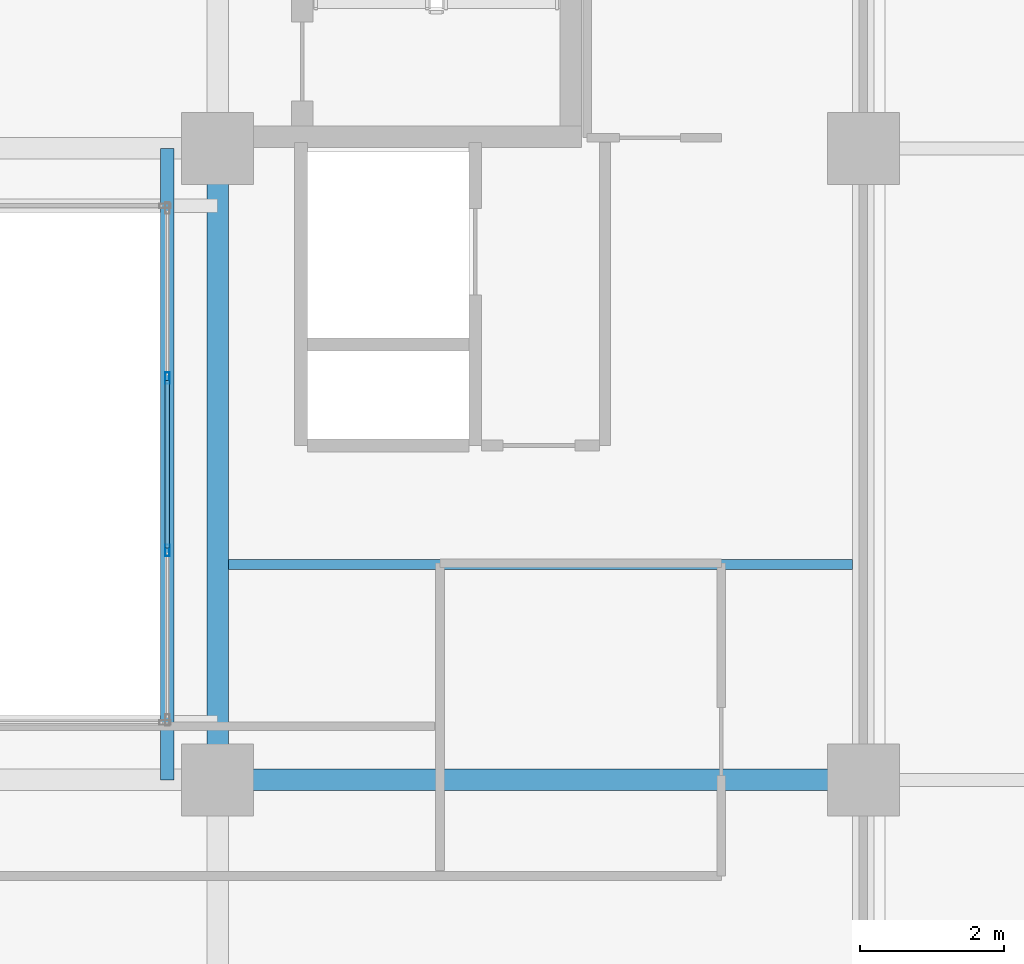
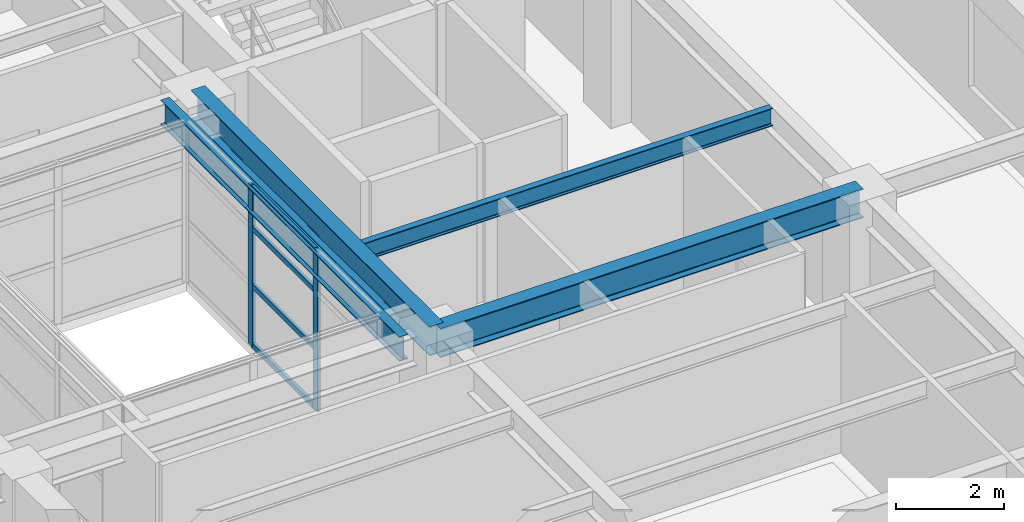
# One storey, part 3 of 14: 6 members, 4 beams, 1 element without a shape of its own.
"""IFC4 building model written with IfcOpenShell, lengths in metres."""

from ifc_helpers import new_model, si_unit, direction, frame, origin, origin_2d, place, context, subcontext, project, spatial, hollow_rectangle, i_section, extrude, material, layer, layer_set, material_profile, profile_set, type_object, element, aggregate, save


model = new_model("IFC4")

# Units and contexts
model_context = context("Model", 3, precision=1e-05, world=origin(), true_north=direction((0.0, 1.0)))
body_context = subcontext(model_context, "Body", "Model", "MODEL_VIEW")
ifc_project = project(units=[si_unit("LENGTHUNIT", "METRE"), si_unit("AREAUNIT", "SQUARE_METRE"), si_unit("VOLUMEUNIT", "CUBIC_METRE"), si_unit("PLANEANGLEUNIT", "RADIAN"), si_unit("MASSUNIT", "GRAM", prefix="KILO")], contexts=[model_context])

# Site, building, storey
site_placement = place(None, origin())
site = spatial("IfcSite", under=ifc_project, at=site_placement, CompositionType="ELEMENT")
building_placement = place(site_placement, origin())
building = spatial("IfcBuilding", under=site, at=building_placement, Name="Kundavana Baori Tower", CompositionType="ELEMENT")
storey_placement = place(building_placement, frame((0.0, 0.0, 104.0)))
storey = spatial("IfcBuildingStorey", under=building, at=storey_placement, Name="L24", CompositionType="ELEMENT", Elevation=104.0)

# Beams
ifc_material_1 = material(Name="Structural Steel S355JR", Category="steel")
ifc_material_profile_1 = material_profile(ifc_material_1, i_section(OverallWidth=0.139892578125, OverallDepth=0.39990234375, WebThickness=0.0087890625, FlangeThickness=0.01611328125, FilletRadius=0.013916015625, at=origin_2d()), Name="ISMB 400")
ifc_profile_set_1 = profile_set([ifc_material_profile_1], Name="Structural Steel S355JR")
beam_type_1 = type_object("IfcBeamType", Name="BM-JST-400", PredefinedType="JOIST", material=ifc_profile_set_1)
beam_1_placement = place(storey_placement, frame((33.949951171875, 27.199951171875, 3.39990234375), z_axis=(1.0, 0.0, 0.0), x_axis=(0.0, 1.0, 0.0)))
element("IfcBeam", 1, at=beam_1_placement, inside=storey, type_object=beam_type_1, Name="L24 East Bay Composite Floor Joist E3", PredefinedType="JOIST", context=body_context, shape_type="SweptSolid", body=[
    extrude(i_section(OverallWidth=0.139892578125, OverallDepth=0.39990234375, WebThickness=0.0087890625, FlangeThickness=0.01611328125, FilletRadius=0.013916015625, at=origin_2d()), origin(), (0.0, 0.0, 1.0), 8.699951171875),
])
ifc_material_2 = material(Name="Structural Steel S355JR", Category="steel")
ifc_material_profile_2 = material_profile(ifc_material_2, i_section(OverallWidth=0.18994140625, OverallDepth=0.550048828125, WebThickness=0.01123046875, FlangeThickness=0.019287109375, FilletRadius=0.01806640625, at=origin_2d()), Name="ISMB 550")
ifc_profile_set_2 = profile_set([ifc_material_profile_2], Name="Structural Steel S355JR")
beam_type_2 = type_object("IfcBeamType", Name="BM-ST-550", PredefinedType="BEAM", material=ifc_profile_set_2)
beam_2_placement = place(storey_placement, frame((33.10009765625, 24.199951171875, 3.324951171875), z_axis=(0.0, 1.0, 0.0), x_axis=(-1.0, 0.0, 0.0)))
element("IfcBeam", 2, at=beam_2_placement, inside=storey, type_object=beam_type_2, Name="L24 Atrium East Edge Beam", PredefinedType="BEAM", context=body_context, shape_type="SweptSolid", body=[
    extrude(i_section(OverallWidth=0.18994140625, OverallDepth=0.550048828125, WebThickness=0.01123046875, FlangeThickness=0.019287109375, FilletRadius=0.01806640625, at=origin_2d()), origin(), (0.0, 0.0, 1.0), 8.800048828125),
])
ifc_material_3 = material(Name="Structural Steel S355JR", Category="steel")
ifc_material_profile_3 = material_profile(ifc_material_3, i_section(OverallWidth=0.300048828125, OverallDepth=0.64990234375, WebThickness=0.013427734375, FlangeThickness=0.02197265625, FilletRadius=0.02392578125, at=origin_2d()), Name="NPB 650x300x155")
ifc_profile_set_3 = profile_set([ifc_material_profile_3], Name="Structural Steel S355JR")
beam_type_3 = type_object("IfcBeamType", Name="BM-ST-650", PredefinedType="BEAM", material=ifc_profile_set_3)
beam_3_placement = place(storey_placement, frame((33.800048828125, 24.199951171875, 3.27490234375), z_axis=(1.0, 0.0, 0.0), x_axis=(0.0, 1.0, 0.0)))
element("IfcBeam", 3, at=beam_3_placement, inside=storey, type_object=beam_type_3, Name="L24 Primary Grid Girder GX-2-3", PredefinedType="BEAM", context=body_context, shape_type="SweptSolid", body=[
    extrude(i_section(OverallWidth=0.300048828125, OverallDepth=0.64990234375, WebThickness=0.013427734375, FlangeThickness=0.02197265625, FilletRadius=0.02392578125, at=origin_2d()), origin(), (0.0, 0.0, 1.0), 9.0),
])
beam_4_placement = place(storey_placement, frame((33.800048828125, 24.199951171875, 3.27490234375), z_axis=(0.0, 1.0, 0.0), x_axis=(-1.0, 0.0, 0.0)))
element("IfcBeam", 4, at=beam_4_placement, inside=storey, type_object=beam_type_3, Name="L24 Primary Grid Girder GY-3-2", PredefinedType="BEAM", context=body_context, shape_type="SweptSolid", body=[
    extrude(i_section(OverallWidth=0.300048828125, OverallDepth=0.64990234375, WebThickness=0.013427734375, FlangeThickness=0.02197265625, FilletRadius=0.02392578125, at=origin_2d()), origin(), (0.0, 0.0, 1.0), 8.800048828125),
])

# Curtain wall, members
ifc_material_4 = material(Name="Thermally Broken Anodised Aluminium Framing", Category="aluminium")
ifc_layer = layer(ifc_material_4, 0.205078125, Name="CW-SYS-4")
ifc_layer_set = layer_set([ifc_layer], Name="Thermally Broken Anodised Aluminium Framing")
curtain_wall_type = type_object("IfcCurtainWallType", Name="CW-SYS-4", PredefinedType="NOTDEFINED", material=ifc_layer_set)
curtain_wall_placement = place(storey_placement, origin())
curtain_wall = element("IfcCurtainWall", 5, at=curtain_wall_placement, inside=storey, type_object=curtain_wall_type, Name="L24 Atrium Glazed Curtain Wall E", PredefinedType="NOTDEFINED")
ifc_material_5 = material(Name="Thermally Broken Anodised Aluminium Framing", Category="aluminium")
ifc_material_profile_4 = material_profile(ifc_material_5, hollow_rectangle(XDim=0.06494140625, YDim=0.159912109375, WallThickness=0.00390625, at=origin_2d()), Name="CW-MULL-160")
ifc_profile_set_4 = profile_set([ifc_material_profile_4], Name="Thermally Broken Anodised Aluminium Framing")
member_type_1 = type_object("IfcMemberType", Name="CW-MULL-160", PredefinedType="MULLION", material=ifc_profile_set_4)
member_1_placement = place(storey_placement, frame((33.10009765625, 27.39990234375, 0.0), z_axis=(0.0, 0.0, 1.0), x_axis=(-1.0, 0.0, 0.0)))
member_1 = element("IfcMember", 6, at=member_1_placement, type_object=member_type_1, Name="CW4 mullion 2", PredefinedType="MULLION", context=body_context, shape_type="SweptSolid", body=[
    extrude(hollow_rectangle(XDim=0.06494140625, YDim=0.159912109375, WallThickness=0.00390625, at=origin_2d()), origin(), (0.0, 0.0, 1.0), 3.60009765625),
])
member_2_placement = place(storey_placement, frame((33.10009765625, 29.800048828125, 0.0), z_axis=(0.0, 0.0, 1.0), x_axis=(-1.0, 0.0, 0.0)))
member_2 = element("IfcMember", 7, at=member_2_placement, type_object=member_type_1, Name="CW4 mullion 3", PredefinedType="MULLION", context=body_context, shape_type="SweptSolid", body=[
    extrude(hollow_rectangle(XDim=0.06494140625, YDim=0.159912109375, WallThickness=0.00390625, at=origin_2d()), origin(), (0.0, 0.0, 1.0), 3.60009765625),
])
ifc_material_6 = material(Name="Thermally Broken Anodised Aluminium Framing", Category="aluminium")
ifc_material_profile_5 = material_profile(ifc_material_6, hollow_rectangle(XDim=0.06494140625, YDim=0.1201171875, WallThickness=0.00390625, at=origin_2d()), Name="CW-TRAN-120")
ifc_profile_set_5 = profile_set([ifc_material_profile_5], Name="Thermally Broken Anodised Aluminium Framing")
member_type_2 = type_object("IfcMemberType", Name="CW-TRAN-120", PredefinedType="USERDEFINED", material=ifc_profile_set_5)
member_3_placement = place(storey_placement, frame((33.10009765625, 27.4326171875, 0.032470703125), z_axis=(0.0, 1.0, 0.0), x_axis=(-1.0, 0.0, 0.0)))
member_3 = element("IfcMember", 8, at=member_3_placement, type_object=member_type_2, Name="CW4 transom 2.1", ObjectType="TRANSOM", PredefinedType="USERDEFINED", context=body_context, shape_type="SweptSolid", body=[
    extrude(hollow_rectangle(XDim=0.06494140625, YDim=0.1201171875, WallThickness=0.00390625, at=origin_2d()), origin(), (0.0, 0.0, 1.0), 2.3349609375),
])
member_4_placement = place(storey_placement, frame((33.10009765625, 27.4326171875, 1.367919921875), z_axis=(0.0, 1.0, 0.0), x_axis=(-1.0, 0.0, 0.0)))
member_4 = element("IfcMember", 9, at=member_4_placement, type_object=member_type_2, Name="CW4 transom 2.2", ObjectType="TRANSOM", PredefinedType="USERDEFINED", context=body_context, shape_type="SweptSolid", body=[
    extrude(hollow_rectangle(XDim=0.06494140625, YDim=0.1201171875, WallThickness=0.00390625, at=origin_2d()), origin(), (0.0, 0.0, 1.0), 2.3349609375),
])
member_5_placement = place(storey_placement, frame((33.10009765625, 27.4326171875, 2.6640625), z_axis=(0.0, 1.0, 0.0), x_axis=(-1.0, 0.0, 0.0)))
member_5 = element("IfcMember", 10, at=member_5_placement, type_object=member_type_2, Name="CW4 transom 2.3", ObjectType="TRANSOM", PredefinedType="USERDEFINED", context=body_context, shape_type="SweptSolid", body=[
    extrude(hollow_rectangle(XDim=0.06494140625, YDim=0.1201171875, WallThickness=0.00390625, at=origin_2d()), origin(), (0.0, 0.0, 1.0), 2.3349609375),
])
member_6_placement = place(storey_placement, frame((33.10009765625, 27.4326171875, 3.5673828125), z_axis=(0.0, 1.0, 0.0), x_axis=(-1.0, 0.0, 0.0)))
member_6 = element("IfcMember", 11, at=member_6_placement, type_object=member_type_2, Name="CW4 transom 2.4", ObjectType="TRANSOM", PredefinedType="USERDEFINED", context=body_context, shape_type="SweptSolid", body=[
    extrude(hollow_rectangle(XDim=0.06494140625, YDim=0.1201171875, WallThickness=0.00390625, at=origin_2d()), origin(), (0.0, 0.0, 1.0), 2.3349609375),
])
aggregate(curtain_wall, [member_1, member_2, member_3, member_4, member_5, member_6])

save(model, "model.ifc")
